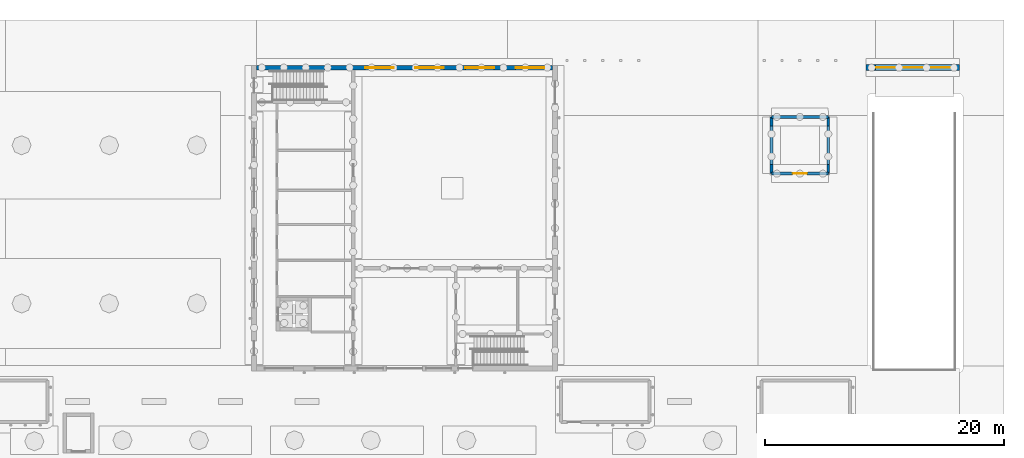
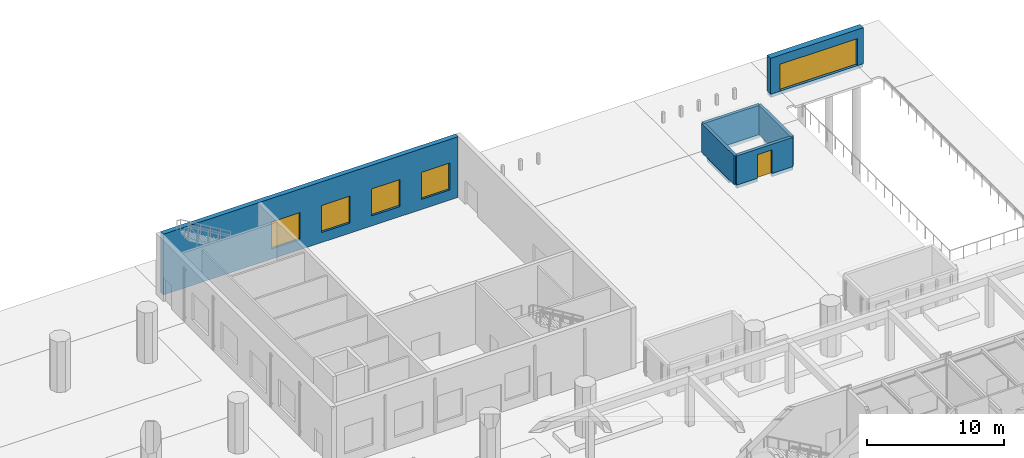
# One storey, part 75 of 127: 12 walls, 4 windows, 2 doors, 6 openings.
"""IFC4 building model written with IfcOpenShell, lengths in metres."""

from ifc_helpers import new_model, si_unit, direction, frame, frame_2d, origin, place, context, subcontext, project, spatial, rectangle, extrude, material, layer, layer_set, type_object, element, fill, save


model = new_model("IFC4")

# Units and contexts
model_context = context("Model", 3, precision=1e-05, world=origin(), true_north=direction((0.0, 1.0)))
body_context = subcontext(model_context, "Body", "Model", "MODEL_VIEW")
ifc_project = project(units=[si_unit("LENGTHUNIT", "METRE"), si_unit("AREAUNIT", "SQUARE_METRE"), si_unit("VOLUMEUNIT", "CUBIC_METRE"), si_unit("PLANEANGLEUNIT", "RADIAN"), si_unit("MASSUNIT", "GRAM", prefix="KILO")], contexts=[model_context])

# Site, building, storey
site_placement = place(None, origin())
site = spatial("IfcSite", under=ifc_project, at=site_placement, CompositionType="ELEMENT")
building_placement = place(site_placement, origin())
building = spatial("IfcBuilding", under=site, at=building_placement, Name="Ljudholm Concert House", CompositionType="ELEMENT")
storey_placement = place(building_placement, origin())
storey = spatial("IfcBuildingStorey", under=building, at=storey_placement, Name="L00", CompositionType="ELEMENT", Elevation=0.0)

# Walls
ifc_material_1 = material(Name="Concrete 6,500 psi", Category="concrete")
ifc_layer_1 = layer(ifc_material_1, 0.25)
ifc_layer_set_1 = layer_set([ifc_layer_1], Name="Concrete 6,500 psi")
wall_type_1 = type_object("IfcWallType", Name="RC WALL 250", PredefinedType="SOLIDWALL", material=ifc_layer_set_1)
for number, where, z_axis, x_axis, name in (
    (1, (106.14501953125, 163.125, -0.300048828125), (0.0, 0.0, 1.0), (1.0, 0.0, 0.0), "Wall stem"),
    (2, (109.1201171875, 163.125, -0.300048828125), (0.0, 0.0, 1.0), (1.0, 0.0, 0.0), "Wall stem"),
):
    element("IfcWall", number, at=place(storey_placement, frame(where, z_axis=z_axis, x_axis=x_axis)), inside=storey, type_object=wall_type_1, Name=name, PredefinedType="SOLIDWALL", context=body_context, shape_type="SweptSolid", body=[
        extrude(rectangle(XDim=1.73486328125, YDim=0.25, at=frame_2d((0.867431640625, 0.0))), origin(), (0.0, 0.0, 1.0), 0.300048828125),
    ])
wall_1_placement = place(storey_placement, frame((106.14501953125, 167.875, -0.300048828125), z_axis=(0.0, 0.0, 1.0), x_axis=(1.0, 0.0, 0.0)))
element("IfcWall", 3, at=wall_1_placement, inside=storey, type_object=wall_type_1, Name="Wall stem", PredefinedType="SOLIDWALL", context=body_context, shape_type="SweptSolid", body=[
    extrude(rectangle(XDim=4.7099609375, YDim=0.25, at=frame_2d((2.35498046875, 0.0))), origin(), (0.0, 0.0, 1.0), 0.300048828125),
])
for number, where, z_axis, x_axis, name in (
    (4, (106.125, 163.89501953125, -0.300048828125), (0.0, 0.0, 1.0), (0.0, 1.0, 0.0), "Wall stem"),
    (5, (110.875, 163.89501953125, -0.300048828125), (0.0, 0.0, 1.0), (0.0, 1.0, 0.0), "Wall stem"),
):
    element("IfcWall", number, at=place(storey_placement, frame(where, z_axis=z_axis, x_axis=x_axis)), inside=storey, type_object=wall_type_1, Name=name, PredefinedType="SOLIDWALL", context=body_context, shape_type="SweptSolid", body=[
        extrude(rectangle(XDim=3.2099609375, YDim=0.25, at=frame_2d((1.60498046875, 0.0))), origin(), (0.0, 0.0, 1.0), 0.300048828125),
    ])

# Wall, opening, door
ifc_material_2 = material(Name="Concrete 6,500 psi", Category="concrete")
ifc_layer_2 = layer(ifc_material_2, 0.25)
ifc_layer_set_2 = layer_set([ifc_layer_2], Name="Concrete 6,500 psi")
wall_type_2 = type_object("IfcWallType", Name="RC WALL 250 EXTERNAL", PredefinedType="SOLIDWALL", material=ifc_layer_set_2)
wall_2_placement = place(storey_placement, frame((106.125, 163.125, 0.0), z_axis=(0.0, 0.0, 1.0), x_axis=(1.0, 0.0, 0.0)))
wall_2 = element("IfcWall", 6, at=wall_2_placement, inside=storey, type_object=wall_type_2, Name="Refuse store wall", PredefinedType="SOLIDWALL", context=body_context, shape_type="SweptSolid", body=[
    extrude(rectangle(XDim=4.75, YDim=0.25, at=frame_2d((2.375, 0.0))), origin(), (0.0, 0.0, 1.0), 2.60009765625),
])
opening_1_placement = place(wall_2_placement, frame((1.77490234375, 0.0, 0.0)))
opening_1 = element("IfcOpeningElement", 7, at=opening_1_placement, cuts=wall_2, Name="Opening D-X00-007", PredefinedType="OPENING", context=body_context, shape_type="SweptSolid", body=[
    extrude(rectangle(XDim=1.199951171875, YDim=2.10009765625, at=frame_2d((0.60009765625, 1.050048828125))), frame((0.0, 0.135009765625, 0.0), z_axis=(0.0, -1.0, 0.0), x_axis=(1.0, 0.0, 0.0)), (0.0, 0.0, 1.0), 0.27001953125),
])
ifc_material_3 = material(Name="Hollow metal door in steel frame", Category="steel")
door_type_1 = type_object("IfcDoorType", Name="SWING DOOR 1200x2100 EXTERNAL", OperationType="SINGLE_SWING_LEFT", PredefinedType="DOOR", material=ifc_material_3)
door_1_placement = place(opening_1_placement, frame((1.199951171875, 0.0, 0.0), z_axis=(0.0, 0.0, 1.0), x_axis=(-1.0, 0.0, 0.0)))
door_1 = element("IfcDoor", 8, at=door_1_placement, inside=storey, type_object=door_type_1, Name="Refuse store door", OperationType="SINGLE_SWING_LEFT", OverallHeight=2.10009765625, OverallWidth=1.199951171875, PredefinedType="DOOR", context=body_context, shape_type="SweptSolid", body=[
    extrude(rectangle(XDim=1.199951171875, YDim=2.10009765625, at=frame_2d((0.60009765625, 1.050048828125))), frame((0.0, 0.02490234375, 0.0), z_axis=(0.0, -1.0, 0.0), x_axis=(1.0, 0.0, 0.0)), (0.0, 0.0, 1.0), 0.050048828125),
])
fill(opening_1, door_1)

# Walls
for number, where, z_axis, x_axis, name in (
    (9, (106.125, 167.875, 0.0), (0.0, 0.0, 1.0), (1.0, 0.0, 0.0), "Refuse store wall"),
    (10, (106.125, 163.125, 0.0), (0.0, 0.0, 1.0), (0.0, 1.0, 0.0), "Refuse store wall"),
    (11, (110.875, 163.125, 0.0), (0.0, 0.0, 1.0), (0.0, 1.0, 0.0), "Refuse store wall"),
):
    element("IfcWall", number, at=place(storey_placement, frame(where, z_axis=z_axis, x_axis=x_axis)), inside=storey, type_object=wall_type_2, Name=name, PredefinedType="SOLIDWALL", context=body_context, shape_type="SweptSolid", body=[
        extrude(rectangle(XDim=4.75, YDim=0.25, at=frame_2d((2.375, 0.0))), origin(), (0.0, 0.0, 1.0), 2.60009765625),
    ])

# Wall, openings, windows
ifc_material_4 = material(Name="Concrete 6,500 psi", Category="concrete")
ifc_layer_3 = layer(ifc_material_4, 0.39990234375)
ifc_layer_set_3 = layer_set([ifc_layer_3], Name="Concrete 6,500 psi")
wall_type_3 = type_object("IfcWallType", Name="RC WALL 400", PredefinedType="SOLIDWALL", material=ifc_layer_set_3)
wall_3_placement = place(storey_placement, frame((63.0, 172.0, 0.0), z_axis=(0.0, 0.0, 1.0), x_axis=(1.0, 0.0, 0.0)))
wall_3 = element("IfcWall", 12, at=wall_3_placement, inside=storey, type_object=wall_type_3, Name="Outer wall N", PredefinedType="SOLIDWALL", context=body_context, shape_type="SweptSolid", body=[
    extrude(rectangle(XDim=24.800048828125, YDim=0.39990234375, at=frame_2d((12.39990234375, 0.0))), origin(), (0.0, 0.0, 1.0), 5.39990234375),
])
opening_2_placement = place(wall_3_placement, frame((9.10009765625, 0.0, 0.89990234375)))
opening_2 = element("IfcOpeningElement", 13, at=opening_2_placement, cuts=wall_3, Name="Opening X-E00-009", PredefinedType="OPENING", context=body_context, shape_type="SweptSolid", body=[
    extrude(rectangle(XDim=2.39990234375, YDim=2.39990234375, at=frame_2d((1.199951171875, 1.199951171875))), frame((0.0, 0.2099609375, 0.0), z_axis=(0.0, -1.0, 0.0), x_axis=(1.0, 0.0, 0.0)), (0.0, 0.0, 1.0), 0.419921875),
])
opening_3_placement = place(wall_3_placement, frame((13.300048828125, 0.0, 0.89990234375)))
opening_3 = element("IfcOpeningElement", 14, at=opening_3_placement, cuts=wall_3, Name="Opening X-E00-010", PredefinedType="OPENING", context=body_context, shape_type="SweptSolid", body=[
    extrude(rectangle(XDim=2.39990234375, YDim=2.39990234375, at=frame_2d((1.199951171875, 1.199951171875))), frame((0.0, 0.2099609375, 0.0), z_axis=(0.0, -1.0, 0.0), x_axis=(1.0, 0.0, 0.0)), (0.0, 0.0, 1.0), 0.419921875),
])
opening_4_placement = place(wall_3_placement, frame((17.5, 0.0, 0.89990234375)))
opening_4 = element("IfcOpeningElement", 15, at=opening_4_placement, cuts=wall_3, Name="Opening X-E00-011", PredefinedType="OPENING", context=body_context, shape_type="SweptSolid", body=[
    extrude(rectangle(XDim=2.39990234375, YDim=2.39990234375, at=frame_2d((1.199951171875, 1.199951171875))), frame((0.0, 0.2099609375, 0.0), z_axis=(0.0, -1.0, 0.0), x_axis=(1.0, 0.0, 0.0)), (0.0, 0.0, 1.0), 0.419921875),
])
opening_5_placement = place(wall_3_placement, frame((21.699951171875, 0.0, 0.89990234375)))
opening_5 = element("IfcOpeningElement", 16, at=opening_5_placement, cuts=wall_3, Name="Opening X-E00-012", PredefinedType="OPENING", context=body_context, shape_type="SweptSolid", body=[
    extrude(rectangle(XDim=2.39990234375, YDim=2.39990234375, at=frame_2d((1.199951171875, 1.199951171875))), frame((0.0, 0.2099609375, 0.0), z_axis=(0.0, -1.0, 0.0), x_axis=(1.0, 0.0, 0.0)), (0.0, 0.0, 1.0), 0.419921875),
])
ifc_material_5 = material(Name="Aluminium frame, impact glazing", Category="aluminium")
window_type = type_object("IfcWindowType", Name="FIXED WINDOW 2400x2400", PartitioningType="SINGLE_PANEL", PredefinedType="WINDOW", material=ifc_material_5)
window_1_placement = place(opening_2_placement, origin())
window_1 = element("IfcWindow", 17, at=window_1_placement, inside=storey, type_object=window_type, Name="Rehearsal hall window", OverallHeight=2.39990234375, OverallWidth=2.39990234375, PartitioningType="SINGLE_PANEL", PredefinedType="WINDOW", context=body_context, shape_type="SweptSolid", body=[
    extrude(rectangle(XDim=2.39990234375, YDim=2.39990234375, at=frame_2d((1.199951171875, 1.199951171875))), frame((0.0, 0.030029296875, 0.0), z_axis=(0.0, -1.0, 0.0), x_axis=(1.0, 0.0, 0.0)), (0.0, 0.0, 1.0), 0.06005859375),
])
fill(opening_2, window_1)
window_2_placement = place(opening_3_placement, origin())
window_2 = element("IfcWindow", 18, at=window_2_placement, inside=storey, type_object=window_type, Name="Rehearsal hall window", OverallHeight=2.39990234375, OverallWidth=2.39990234375, PartitioningType="SINGLE_PANEL", PredefinedType="WINDOW", context=body_context, shape_type="SweptSolid", body=[
    extrude(rectangle(XDim=2.39990234375, YDim=2.39990234375, at=frame_2d((1.199951171875, 1.199951171875))), frame((0.0, 0.030029296875, 0.0), z_axis=(0.0, -1.0, 0.0), x_axis=(1.0, 0.0, 0.0)), (0.0, 0.0, 1.0), 0.06005859375),
])
fill(opening_3, window_2)
window_3_placement = place(opening_4_placement, origin())
window_3 = element("IfcWindow", 19, at=window_3_placement, inside=storey, type_object=window_type, Name="Rehearsal hall window", OverallHeight=2.39990234375, OverallWidth=2.39990234375, PartitioningType="SINGLE_PANEL", PredefinedType="WINDOW", context=body_context, shape_type="SweptSolid", body=[
    extrude(rectangle(XDim=2.39990234375, YDim=2.39990234375, at=frame_2d((1.199951171875, 1.199951171875))), frame((0.0, 0.030029296875, 0.0), z_axis=(0.0, -1.0, 0.0), x_axis=(1.0, 0.0, 0.0)), (0.0, 0.0, 1.0), 0.06005859375),
])
fill(opening_4, window_3)
window_4_placement = place(opening_5_placement, origin())
window_4 = element("IfcWindow", 20, at=window_4_placement, inside=storey, type_object=window_type, Name="Rehearsal hall window", OverallHeight=2.39990234375, OverallWidth=2.39990234375, PartitioningType="SINGLE_PANEL", PredefinedType="WINDOW", context=body_context, shape_type="SweptSolid", body=[
    extrude(rectangle(XDim=2.39990234375, YDim=2.39990234375, at=frame_2d((1.199951171875, 1.199951171875))), frame((0.0, 0.030029296875, 0.0), z_axis=(0.0, -1.0, 0.0), x_axis=(1.0, 0.0, 0.0)), (0.0, 0.0, 1.0), 0.06005859375),
])
fill(opening_5, window_4)

# Wall, opening, door
ifc_material_6 = material(Name="Concrete 6,500 psi", Category="concrete")
ifc_layer_4 = layer(ifc_material_6, 0.5)
ifc_layer_set_4 = layer_set([ifc_layer_4], Name="Concrete 6,500 psi")
wall_type_4 = type_object("IfcWallType", Name="RC WALL 500", PredefinedType="SOLIDWALL", material=ifc_layer_set_4)
wall_4_placement = place(storey_placement, frame((114.050048828125, 172.0, 0.0), z_axis=(0.0, 0.0, 1.0), x_axis=(1.0, 0.0, 0.0)))
wall_4 = element("IfcWall", 21, at=wall_4_placement, inside=storey, type_object=wall_type_4, Name="Vehicle gate wall", PredefinedType="SOLIDWALL", context=body_context, shape_type="SweptSolid", body=[
    extrude(rectangle(XDim=7.800048828125, YDim=0.5, at=frame_2d((3.89990234375, 0.0))), origin(), (0.0, 0.0, 1.0), 3.199951171875),
])
opening_6_placement = place(wall_4_placement, frame((0.800048828125, 0.0, 0.0)))
opening_6 = element("IfcOpeningElement", 22, at=opening_6_placement, cuts=wall_4, Name="Opening D-X00-006", PredefinedType="OPENING", context=body_context, shape_type="SweptSolid", body=[
    extrude(rectangle(XDim=6.5, YDim=2.39990234375, at=frame_2d((3.25, 1.199951171875))), frame((0.0, 0.260009765625, 0.0), z_axis=(0.0, -1.0, 0.0), x_axis=(1.0, 0.0, 0.0)), (0.0, 0.0, 1.0), 0.52001953125),
])
ifc_material_7 = material(Name="Steel gate with perforated infill panel, powered", Category="steel")
door_type_2 = type_object("IfcDoorType", Name="ROLLUP DOOR 6500x2400", OperationType="ROLLINGUP", PredefinedType="DOOR", material=ifc_material_7)
door_2_placement = place(opening_6_placement, frame((6.5, 0.0, 0.0), z_axis=(0.0, 0.0, 1.0), x_axis=(-1.0, 0.0, 0.0)))
door_2 = element("IfcDoor", 23, at=door_2_placement, inside=storey, type_object=door_type_2, Name="Vehicle ramp gate", OperationType="ROLLINGUP", OverallHeight=2.39990234375, OverallWidth=6.5, PredefinedType="DOOR", context=body_context, shape_type="SweptSolid", body=[
    extrude(rectangle(XDim=6.5, YDim=2.39990234375, at=frame_2d((3.25, 1.199951171875))), frame((0.0, 0.02490234375, 0.0), z_axis=(0.0, -1.0, 0.0), x_axis=(1.0, 0.0, 0.0)), (0.0, 0.0, 1.0), 0.050048828125),
])
fill(opening_6, door_2)

# Wall
ifc_material_8 = material(Name="Concrete 6,500 psi", Category="concrete")
ifc_layer_5 = layer(ifc_material_8, 0.5)
ifc_layer_set_5 = layer_set([ifc_layer_5], Name="Concrete 6,500 psi")
wall_type_5 = type_object("IfcWallType", Name="RC WALL 500 INTERNAL", PredefinedType="SOLIDWALL", material=ifc_layer_set_5)
wall_5_placement = place(storey_placement, frame((114.070068359375, 172.0, -0.300048828125), z_axis=(0.0, 0.0, 1.0), x_axis=(1.0, 0.0, 0.0)))
element("IfcWall", 24, at=wall_5_placement, inside=storey, type_object=wall_type_5, Name="Wall stem", PredefinedType="SOLIDWALL", context=body_context, shape_type="SweptSolid", body=[
    extrude(rectangle(XDim=7.760009765625, YDim=0.5, at=frame_2d((3.8798828125, 0.0))), origin(), (0.0, 0.0, 1.0), 0.300048828125),
])

save(model, "model.ifc")
